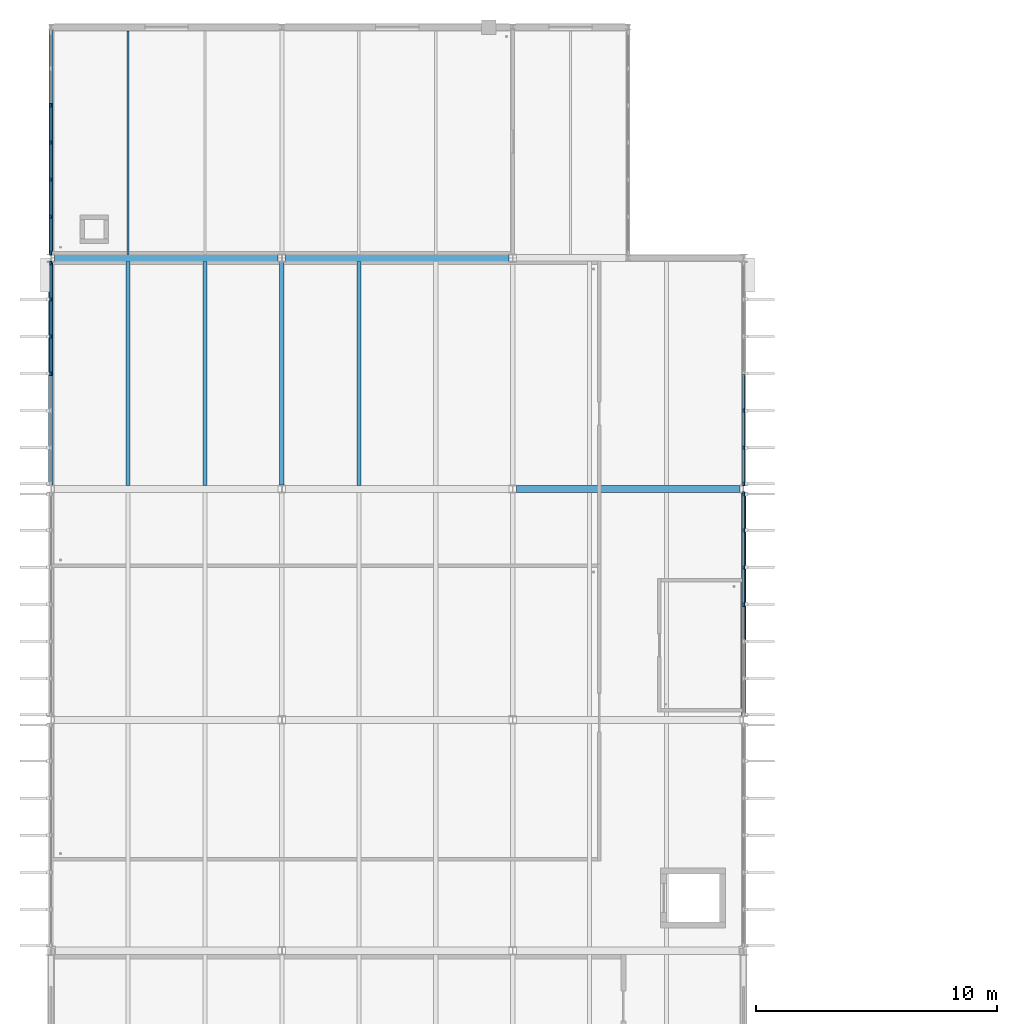
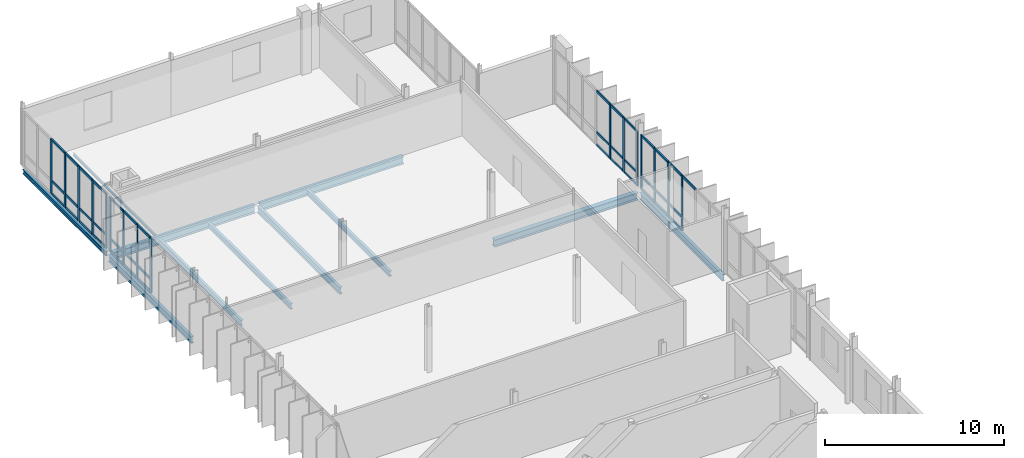
# One storey, part 41 of 110: 56 members, 11 beams, 4 elements without a shape of their own.
"""IFC4 building model written with IfcOpenShell, lengths in metres."""

import ifcopenshell
import ifcopenshell.guid

model = None  # the IFC model being written
_history = None  # IfcOwnerHistory: only IFC2X3 demands one
_inside = {}  # id of a spatial element -> (the spatial element, [elements in it])
_under = {}  # id of a project, library or spatial element -> (it, [spatial elements below it])
_declared = {}  # id of a project -> (the project, [libraries it declares])
_typed = {}  # id of a type object -> (the type object, [elements of that type])
_made_of = {}  # id of a material, layer set ... -> (it, [elements and type objects made of it])


def new_model(schema):
    """Start an empty IFC model of exactly this schema.

    Asked for "IFC4X3", IfcOpenShell would pick the latest addendum, in which some entities
    have other attributes; the version numbers below select the first issue.
    IFC2X3 requires an IfcOwnerHistory on every rooted entity: one is made here for all.
    """
    global model, _history
    if schema == "IFC4X3":
        model = ifcopenshell.file(schema_version=(4, 3, 0, 0))
    else:
        model = ifcopenshell.file(schema=schema)
    _inside.clear()
    _under.clear()
    _declared.clear()
    _typed.clear()
    _made_of.clear()
    _history = None
    if model.schema == "IFC2X3":
        org = make("IfcOrganization", Name="unknown")
        user = make(
            "IfcPersonAndOrganization",
            ThePerson=make("IfcPerson", FamilyName="unknown"),
            TheOrganization=org,
        )
        app = make(
            "IfcApplication",
            ApplicationDeveloper=org,
            Version="unknown",
            ApplicationFullName="unknown",
            ApplicationIdentifier="unknown",
        )
        _history = make(
            "IfcOwnerHistory",
            OwningUser=user,
            OwningApplication=app,
            ChangeAction="ADDED",
            CreationDate=0,
        )
    return model


def make(cls, **values):
    """One entity of the class cls with the attributes given. An attribute that is None is left unset."""
    return model.create_entity(
        cls, **{name: value for name, value in values.items() if value is not None}
    )


def rooted(cls, **values):
    """An entity with a GlobalId (a new one), such as an element, a storey or a relation."""
    return make(cls, GlobalId=ifcopenshell.guid.new(), OwnerHistory=_history, **values)


def si_unit(unit_type, name, prefix=None):
    """IfcSIUnit, for example si_unit("LENGTHUNIT", "METRE", prefix="MILLI")."""
    return make("IfcSIUnit", UnitType=unit_type, Prefix=prefix, Name=name)


def assignment(units):
    """IfcUnitAssignment: the units of a project."""
    return None if units is None else make("IfcUnitAssignment", Units=units)


def point(xyz):
    """IfcCartesianPoint."""
    return None if xyz is None else make("IfcCartesianPoint", Coordinates=xyz)


def direction(xyz):
    """IfcDirection."""
    return None if xyz is None else make("IfcDirection", DirectionRatios=xyz)


def frame(location, z_axis=None, x_axis=None):
    """IfcAxis2Placement3D, a coordinate frame: its origin and axes. An axis left out is left unset."""
    return make(
        "IfcAxis2Placement3D",
        Location=point(location),
        Axis=direction(z_axis),
        RefDirection=direction(x_axis),
    )


def frame_2d(location, x_axis=None):
    """IfcAxis2Placement2D, a coordinate frame in the plane: its origin and x axis."""
    return make(
        "IfcAxis2Placement2D", Location=point(location), RefDirection=direction(x_axis)
    )


def origin():
    """The frame at (0, 0, 0) with its axes left unset."""
    return frame((0.0, 0.0, 0.0))


def origin_2d():
    """The frame at (0, 0) in the plane with its x axis left unset."""
    return frame_2d((0.0, 0.0))


def place(relative_to, where):
    """IfcLocalPlacement: puts the frame where relative to a parent placement (None: the world)."""
    return make(
        "IfcLocalPlacement", PlacementRelTo=relative_to, RelativePlacement=where
    )


def context(
    kind, dimensions, precision=None, world=None, true_north=None, identifier=None
):
    """IfcGeometricRepresentationContext, for example the 3D "Model" context."""
    return make(
        "IfcGeometricRepresentationContext",
        ContextIdentifier=identifier,
        ContextType=kind,
        CoordinateSpaceDimension=dimensions,
        Precision=precision,
        WorldCoordinateSystem=world,
        TrueNorth=true_north,
    )


def subcontext(parent, identifier, kind, view, scale=None):
    """IfcGeometricRepresentationSubContext, for example "Body" below "Model"."""
    return make(
        "IfcGeometricRepresentationSubContext",
        ContextIdentifier=identifier,
        ContextType=kind,
        ParentContext=parent,
        TargetScale=scale,
        TargetView=view,
    )


def project(units=None, contexts=None):
    """IfcProject with its units and contexts."""
    return rooted(
        "IfcProject",
        Name="project",
        RepresentationContexts=contexts,
        UnitsInContext=assignment(units),
    )


def spatial(cls, under=None, at=None, **own):
    """A site, building, storey or space (cls), placed at a placement, below another one or the project."""
    s = rooted(cls, ObjectPlacement=at, **own)
    if under is not None:
        _under.setdefault(under.id(), (under, []))[1].append(s)
    return s


def profile(cls, at=None, kind="AREA", **sizes):
    """A parametric profile (cls). Its sizes go by their IFC names, for example OverallWidth=200.0."""
    return make(cls, ProfileType=kind, Position=at, **sizes)


def rectangle(**sizes):
    """IfcRectangleProfileDef."""
    return profile("IfcRectangleProfileDef", **sizes)


def i_section(**sizes):
    """IfcIShapeProfileDef."""
    return profile("IfcIShapeProfileDef", **sizes)


def extrude(swept, where, along, depth):
    """IfcExtrudedAreaSolid: the profile swept, set in the frame where, extruded along a direction by depth."""
    return make(
        "IfcExtrudedAreaSolid",
        SweptArea=swept,
        Position=where,
        ExtrudedDirection=direction(along),
        Depth=depth,
    )


def shape(context_of_items, identifier, shape_type, items):
    """IfcShapeRepresentation: the items that make up one representation, for example the "Body"."""
    return make(
        "IfcShapeRepresentation",
        ContextOfItems=context_of_items,
        RepresentationIdentifier=identifier,
        RepresentationType=shape_type,
        Items=items,
    )


def material(Name=None, Category=None):
    """IfcMaterial."""
    return make("IfcMaterial", Name=Name, Category=Category)


def material_profile(
    of_material, cross_section, Name=None, Category=None, Priority=None
):
    """IfcMaterialProfile: a cross section and its material."""
    return make(
        "IfcMaterialProfile",
        Name=Name,
        Material=of_material,
        Profile=cross_section,
        Priority=Priority,
        Category=Category,
    )


def profile_set(profiles, Name=None, composite=None):
    """IfcMaterialProfileSet."""
    return make(
        "IfcMaterialProfileSet",
        Name=Name,
        MaterialProfiles=profiles,
        CompositeProfile=composite,
    )


def made_of(thing, what):
    """Note that an element or type object is made of a material, layer set ...; save() writes the relation."""
    if what is not None:
        _made_of.setdefault(what.id(), (what, []))[1].append(thing)
    return thing


def type_object(cls, material=None, **own):
    """A type object (cls), such as IfcWallType, which elements share."""
    return made_of(rooted(cls, **own), material)


def element(
    cls,
    number,
    at=None,
    inside=None,
    cuts=None,
    type_object=None,
    material=None,
    context=None,
    identifier="Body",
    shape_type=None,
    held_by="IfcProductDefinitionShape",
    body=None,
    shapes=None,
    **own,
):
    """One element of the class cls, such as IfcWall. Its Tag is "e" and its number.

    at: its placement. inside: the storey or other place that contains it. cuts: it is an
    opening in that element (IfcRelVoidsElement). A single representation is given by context,
    identifier, shape_type and body (its items); several are given by shapes. held_by: the class
    of the entity that holds the representations. save() writes the other relations.
    """
    e = rooted(cls, Tag="e%d" % number, ObjectPlacement=at, **own)
    if body is not None:
        shapes = [shape(context, identifier, shape_type, body)]
    if shapes is not None:
        e.Representation = make(held_by, Representations=shapes)
    if inside is not None:
        _inside.setdefault(inside.id(), (inside, []))[1].append(e)
    if cuts is not None:
        rooted(
            "IfcRelVoidsElement", RelatingBuildingElement=cuts, RelatedOpeningElement=e
        )
    if type_object is not None:
        _typed.setdefault(type_object.id(), (type_object, []))[1].append(e)
    return made_of(e, material)


def aggregate(whole, parts):
    """IfcRelAggregates: a whole, such as a stair, and the parts it consists of."""
    return rooted("IfcRelAggregates", RelatingObject=whole, RelatedObjects=parts)


def save(model, path):
    """Write the relations noted so far, then the file.

    IfcRelAggregates (storeys below a building ...), IfcRelContainedInSpatialStructure (elements
    in a storey), IfcRelDefinesByType, IfcRelAssociatesMaterial and IfcRelDeclares: one each for
    every whole, place, type object, material and project.
    """
    for whole, parts in _under.values():
        aggregate(whole, parts)
    for where, things in _inside.values():
        rooted(
            "IfcRelContainedInSpatialStructure",
            RelatedElements=things,
            RelatingStructure=where,
        )
    for kind, things in _typed.values():
        rooted("IfcRelDefinesByType", RelatedObjects=things, RelatingType=kind)
    for what, things in _made_of.values():
        rooted("IfcRelAssociatesMaterial", RelatedObjects=things, RelatingMaterial=what)
    for by, libraries in _declared.values():
        rooted("IfcRelDeclares", RelatingContext=by, RelatedDefinitions=libraries)
    model.write(path)


model = new_model("IFC4")

# Units and contexts
model_context = context("Model", 3, precision=1e-05, world=origin(), true_north=direction((0.0, 1.0)))
body_context = subcontext(model_context, "Body", "Model", "MODEL_VIEW")
ifc_project = project(units=[si_unit("LENGTHUNIT", "METRE"), si_unit("AREAUNIT", "SQUARE_METRE"), si_unit("VOLUMEUNIT", "CUBIC_METRE"), si_unit("PLANEANGLEUNIT", "RADIAN"), si_unit("MASSUNIT", "GRAM", prefix="KILO")], contexts=[model_context])

# Site, building, storey
site_placement = place(None, origin())
site = spatial("IfcSite", under=ifc_project, at=site_placement, CompositionType="ELEMENT")
building_placement = place(site_placement, origin())
building = spatial("IfcBuilding", under=site, at=building_placement, Name="Dunescarp Central Library", CompositionType="ELEMENT")
storey_placement = place(building_placement, frame((0.0, 0.0, 9.60009765625)))
storey = spatial("IfcBuildingStorey", under=building, at=storey_placement, Name="L02", CompositionType="ELEMENT", Elevation=9.60009765625)

# Curtain wall, members
ifc_material_1 = material(Name="Marine-grade anodised aluminium 6063-T6", Category="aluminium")
curtain_wall_type = type_object("IfcCurtainWallType", Name="ARC-CW-STICK", PredefinedType="NOTDEFINED", material=ifc_material_1)
curtain_wall_1_placement = place(storey_placement, origin())
curtain_wall_1 = element("IfcCurtainWall", 1, at=curtain_wall_1_placement, inside=storey, type_object=curtain_wall_type, Name="L02 curtain wall CW-V4-127", PredefinedType="NOTDEFINED")
ifc_material_profile_1 = material_profile(ifc_material_1, rectangle(XDim=0.080078125, YDim=0.179931640625, at=origin_2d()), Name="AL 80x180")
ifc_profile_set_1 = profile_set([ifc_material_profile_1], Name="Marine-grade anodised aluminium 6063-T6")
member_type_1 = type_object("IfcMemberType", Name="ARC-CWM-180", PredefinedType="MULLION", material=ifc_profile_set_1)
member_1_placement = place(storey_placement, frame((28.800048828125, 79.784912109375, 0.0), z_axis=(0.0, 0.0, 1.0), x_axis=(1.0, 0.0, 0.0)))
member_1 = element("IfcMember", 2, at=member_1_placement, type_object=member_type_1, Name="CW-V4-127 mullion 1", PredefinedType="MULLION", context=body_context, shape_type="SweptSolid", body=[
    extrude(rectangle(XDim=0.080078125, YDim=0.179931640625, at=origin_2d()), origin(), (0.0, 0.0, 1.0), 3.73486328125),
])
member_2_placement = place(storey_placement, frame((28.800048828125, 78.283447265625, 0.0), z_axis=(0.0, 0.0, 1.0), x_axis=(1.0, 0.0, 0.0)))
member_2 = element("IfcMember", 3, at=member_2_placement, type_object=member_type_1, Name="CW-V4-127 mullion 2", PredefinedType="MULLION", context=body_context, shape_type="SweptSolid", body=[
    extrude(rectangle(XDim=0.080078125, YDim=0.179931640625, at=origin_2d()), origin(), (0.0, 0.0, 1.0), 3.73486328125),
])
member_3_placement = place(storey_placement, frame((28.800048828125, 76.74169921875, 0.0), z_axis=(0.0, 0.0, 1.0), x_axis=(1.0, 0.0, 0.0)))
member_3 = element("IfcMember", 4, at=member_3_placement, type_object=member_type_1, Name="CW-V4-127 mullion 3", PredefinedType="MULLION", context=body_context, shape_type="SweptSolid", body=[
    extrude(rectangle(XDim=0.080078125, YDim=0.179931640625, at=origin_2d()), origin(), (0.0, 0.0, 1.0), 3.73486328125),
])
member_4_placement = place(storey_placement, frame((28.800048828125, 75.199951171875, 0.0), z_axis=(0.0, 0.0, 1.0), x_axis=(1.0, 0.0, 0.0)))
member_4 = element("IfcMember", 5, at=member_4_placement, type_object=member_type_1, Name="CW-V4-127 mullion 4", PredefinedType="MULLION", context=body_context, shape_type="SweptSolid", body=[
    extrude(rectangle(XDim=0.080078125, YDim=0.179931640625, at=origin_2d()), origin(), (0.0, 0.0, 1.0), 3.73486328125),
])

curtain_wall_2_placement = place(storey_placement, origin())
curtain_wall_2 = element("IfcCurtainWall", 6, at=curtain_wall_2_placement, inside=storey, type_object=curtain_wall_type, Name="L02 curtain wall CW-V4-128", PredefinedType="NOTDEFINED")
member_5_placement = place(storey_placement, frame((0.0, 84.800048828125, 0.0), z_axis=(0.0, 0.0, 1.0), x_axis=(-1.0, 0.0, 0.0)))
member_5 = element("IfcMember", 7, at=member_5_placement, type_object=member_type_1, Name="CW-V4-128 mullion 4", PredefinedType="MULLION", context=body_context, shape_type="SweptSolid", body=[
    extrude(rectangle(XDim=0.080078125, YDim=0.179931640625, at=origin_2d()), origin(), (0.0, 0.0, 1.0), 3.73486328125),
])
member_6_placement = place(storey_placement, frame((0.0, 86.341552734375, 0.0), z_axis=(0.0, 0.0, 1.0), x_axis=(-1.0, 0.0, 0.0)))
member_6 = element("IfcMember", 8, at=member_6_placement, type_object=member_type_1, Name="CW-V4-128 mullion 5", PredefinedType="MULLION", context=body_context, shape_type="SweptSolid", body=[
    extrude(rectangle(XDim=0.080078125, YDim=0.179931640625, at=origin_2d()), origin(), (0.0, 0.0, 1.0), 3.73486328125),
])
member_7_placement = place(storey_placement, frame((0.0, 87.88330078125, 0.0), z_axis=(0.0, 0.0, 1.0), x_axis=(-1.0, 0.0, 0.0)))
member_7 = element("IfcMember", 9, at=member_7_placement, type_object=member_type_1, Name="CW-V4-128 mullion 6", PredefinedType="MULLION", context=body_context, shape_type="SweptSolid", body=[
    extrude(rectangle(XDim=0.080078125, YDim=0.179931640625, at=origin_2d()), origin(), (0.0, 0.0, 1.0), 3.73486328125),
])
member_8_placement = place(storey_placement, frame((0.0, 89.385009765625, 0.0), z_axis=(0.0, 0.0, 1.0), x_axis=(-1.0, 0.0, 0.0)))
member_8 = element("IfcMember", 10, at=member_8_placement, type_object=member_type_1, Name="CW-V4-128 mullion 7", PredefinedType="MULLION", context=body_context, shape_type="SweptSolid", body=[
    extrude(rectangle(XDim=0.080078125, YDim=0.179931640625, at=origin_2d()), origin(), (0.0, 0.0, 1.0), 3.73486328125),
])

curtain_wall_3_placement = place(storey_placement, origin())
curtain_wall_3 = element("IfcCurtainWall", 11, at=curtain_wall_3_placement, inside=storey, type_object=curtain_wall_type, Name="L02 curtain wall CW-V4-129", PredefinedType="NOTDEFINED")
member_9_placement = place(storey_placement, frame((28.800048828125, 83.25830078125, 0.0), z_axis=(0.0, 0.0, 1.0), x_axis=(1.0, 0.0, 0.0)))
member_9 = element("IfcMember", 12, at=member_9_placement, type_object=member_type_1, Name="CW-V4-129 mullion 5", PredefinedType="MULLION", context=body_context, shape_type="SweptSolid", body=[
    extrude(rectangle(XDim=0.080078125, YDim=0.179931640625, at=origin_2d()), origin(), (0.0, 0.0, 1.0), 3.73486328125),
])
member_10_placement = place(storey_placement, frame((28.800048828125, 81.716552734375, 0.0), z_axis=(0.0, 0.0, 1.0), x_axis=(1.0, 0.0, 0.0)))
member_10 = element("IfcMember", 13, at=member_10_placement, type_object=member_type_1, Name="CW-V4-129 mullion 6", PredefinedType="MULLION", context=body_context, shape_type="SweptSolid", body=[
    extrude(rectangle(XDim=0.080078125, YDim=0.179931640625, at=origin_2d()), origin(), (0.0, 0.0, 1.0), 3.73486328125),
])
member_11_placement = place(storey_placement, frame((28.800048828125, 80.215087890625, 0.0), z_axis=(0.0, 0.0, 1.0), x_axis=(1.0, 0.0, 0.0)))
member_11 = element("IfcMember", 14, at=member_11_placement, type_object=member_type_1, Name="CW-V4-129 mullion 7", PredefinedType="MULLION", context=body_context, shape_type="SweptSolid", body=[
    extrude(rectangle(XDim=0.080078125, YDim=0.179931640625, at=origin_2d()), origin(), (0.0, 0.0, 1.0), 3.73486328125),
])

curtain_wall_4_placement = place(storey_placement, origin())
curtain_wall_4 = element("IfcCurtainWall", 15, at=curtain_wall_4_placement, inside=storey, type_object=curtain_wall_type, Name="L02 curtain wall CW-V4N-144", PredefinedType="NOTDEFINED")
member_12_placement = place(storey_placement, frame((0.0, 89.81494140625, 0.0), z_axis=(0.0, 0.0, 1.0), x_axis=(-1.0, 0.0, 0.0)))
member_12 = element("IfcMember", 16, at=member_12_placement, type_object=member_type_1, Name="CW-V4N-144 mullion 1", PredefinedType="MULLION", context=body_context, shape_type="SweptSolid", body=[
    extrude(rectangle(XDim=0.080078125, YDim=0.179931640625, at=origin_2d()), origin(), (0.0, 0.0, 1.0), 3.73486328125),
])
member_13_placement = place(storey_placement, frame((0.0, 91.316650390625, 0.0), z_axis=(0.0, 0.0, 1.0), x_axis=(-1.0, 0.0, 0.0)))
member_13 = element("IfcMember", 17, at=member_13_placement, type_object=member_type_1, Name="CW-V4N-144 mullion 2", PredefinedType="MULLION", context=body_context, shape_type="SweptSolid", body=[
    extrude(rectangle(XDim=0.080078125, YDim=0.179931640625, at=origin_2d()), origin(), (0.0, 0.0, 1.0), 3.73486328125),
])
member_14_placement = place(storey_placement, frame((0.0, 92.8583984375, 0.0), z_axis=(0.0, 0.0, 1.0), x_axis=(-1.0, 0.0, 0.0)))
member_14 = element("IfcMember", 18, at=member_14_placement, type_object=member_type_1, Name="CW-V4N-144 mullion 3", PredefinedType="MULLION", context=body_context, shape_type="SweptSolid", body=[
    extrude(rectangle(XDim=0.080078125, YDim=0.179931640625, at=origin_2d()), origin(), (0.0, 0.0, 1.0), 3.73486328125),
])
member_15_placement = place(storey_placement, frame((0.0, 94.39990234375, 0.0), z_axis=(0.0, 0.0, 1.0), x_axis=(-1.0, 0.0, 0.0)))
member_15 = element("IfcMember", 19, at=member_15_placement, type_object=member_type_1, Name="CW-V4N-144 mullion 4", PredefinedType="MULLION", context=body_context, shape_type="SweptSolid", body=[
    extrude(rectangle(XDim=0.080078125, YDim=0.179931640625, at=origin_2d()), origin(), (0.0, 0.0, 1.0), 3.73486328125),
])
member_16_placement = place(storey_placement, frame((0.0, 95.941650390625, 0.0), z_axis=(0.0, 0.0, 1.0), x_axis=(-1.0, 0.0, 0.0)))
member_16 = element("IfcMember", 20, at=member_16_placement, type_object=member_type_1, Name="CW-V4N-144 mullion 5", PredefinedType="MULLION", context=body_context, shape_type="SweptSolid", body=[
    extrude(rectangle(XDim=0.080078125, YDim=0.179931640625, at=origin_2d()), origin(), (0.0, 0.0, 1.0), 3.73486328125),
])

# Member
ifc_material_profile_2 = material_profile(ifc_material_1, rectangle(XDim=0.080078125, YDim=0.14990234375, at=origin_2d()), Name="AL 80x150")
ifc_profile_set_2 = profile_set([ifc_material_profile_2], Name="Marine-grade anodised aluminium 6063-T6")
member_type_2 = type_object("IfcMemberType", Name="ARC-CWT-150", PredefinedType="USERDEFINED", material=ifc_profile_set_2)
member_17_placement = place(storey_placement, frame((28.800048828125, 79.7451171875, 0.039794921875), z_axis=(0.0, -1.0, 0.0), x_axis=(1.0, 0.0, 0.0)))
member_17 = element("IfcMember", 21, at=member_17_placement, type_object=member_type_2, Name="CW-V4-127 transom 1.1", ObjectType="TRANSOM", PredefinedType="USERDEFINED", context=body_context, shape_type="SweptSolid", body=[
    extrude(rectangle(XDim=0.080078125, YDim=0.14990234375, at=origin_2d()), origin(), (0.0, 0.0, 1.0), 1.421875),
])

member_18_placement = place(storey_placement, frame((28.800048828125, 79.7451171875, 0.89990234375), z_axis=(0.0, -1.0, 0.0), x_axis=(1.0, 0.0, 0.0)))
member_18 = element("IfcMember", 22, at=member_18_placement, type_object=member_type_2, Name="CW-V4-127 transom 1.2", ObjectType="TRANSOM", PredefinedType="USERDEFINED", context=body_context, shape_type="SweptSolid", body=[
    extrude(rectangle(XDim=0.080078125, YDim=0.14990234375, at=origin_2d()), origin(), (0.0, 0.0, 1.0), 1.421875),
])

member_19_placement = place(storey_placement, frame((28.800048828125, 79.7451171875, 3.69482421875), z_axis=(0.0, -1.0, 0.0), x_axis=(1.0, 0.0, 0.0)))
member_19 = element("IfcMember", 23, at=member_19_placement, type_object=member_type_2, Name="CW-V4-127 transom 1.3", ObjectType="TRANSOM", PredefinedType="USERDEFINED", context=body_context, shape_type="SweptSolid", body=[
    extrude(rectangle(XDim=0.080078125, YDim=0.14990234375, at=origin_2d()), origin(), (0.0, 0.0, 1.0), 1.421875),
])

member_20_placement = place(storey_placement, frame((28.800048828125, 78.243408203125, 0.039794921875), z_axis=(0.0, -1.0, 0.0), x_axis=(1.0, 0.0, 0.0)))
member_20 = element("IfcMember", 24, at=member_20_placement, type_object=member_type_2, Name="CW-V4-127 transom 2.1", ObjectType="TRANSOM", PredefinedType="USERDEFINED", context=body_context, shape_type="SweptSolid", body=[
    extrude(rectangle(XDim=0.080078125, YDim=0.14990234375, at=origin_2d()), origin(), (0.0, 0.0, 1.0), 1.461669921875),
])

member_21_placement = place(storey_placement, frame((28.800048828125, 78.243408203125, 0.89990234375), z_axis=(0.0, -1.0, 0.0), x_axis=(1.0, 0.0, 0.0)))
member_21 = element("IfcMember", 25, at=member_21_placement, type_object=member_type_2, Name="CW-V4-127 transom 2.2", ObjectType="TRANSOM", PredefinedType="USERDEFINED", context=body_context, shape_type="SweptSolid", body=[
    extrude(rectangle(XDim=0.080078125, YDim=0.14990234375, at=origin_2d()), origin(), (0.0, 0.0, 1.0), 1.461669921875),
])

member_22_placement = place(storey_placement, frame((28.800048828125, 78.243408203125, 3.69482421875), z_axis=(0.0, -1.0, 0.0), x_axis=(1.0, 0.0, 0.0)))
member_22 = element("IfcMember", 26, at=member_22_placement, type_object=member_type_2, Name="CW-V4-127 transom 2.3", ObjectType="TRANSOM", PredefinedType="USERDEFINED", context=body_context, shape_type="SweptSolid", body=[
    extrude(rectangle(XDim=0.080078125, YDim=0.14990234375, at=origin_2d()), origin(), (0.0, 0.0, 1.0), 1.461669921875),
])

member_23_placement = place(storey_placement, frame((28.800048828125, 76.70166015625, 0.039794921875), z_axis=(0.0, -1.0, 0.0), x_axis=(1.0, 0.0, 0.0)))
member_23 = element("IfcMember", 27, at=member_23_placement, type_object=member_type_2, Name="CW-V4-127 transom 3.1", ObjectType="TRANSOM", PredefinedType="USERDEFINED", context=body_context, shape_type="SweptSolid", body=[
    extrude(rectangle(XDim=0.080078125, YDim=0.14990234375, at=origin_2d()), origin(), (0.0, 0.0, 1.0), 1.461669921875),
])

member_24_placement = place(storey_placement, frame((28.800048828125, 76.70166015625, 0.89990234375), z_axis=(0.0, -1.0, 0.0), x_axis=(1.0, 0.0, 0.0)))
member_24 = element("IfcMember", 28, at=member_24_placement, type_object=member_type_2, Name="CW-V4-127 transom 3.2", ObjectType="TRANSOM", PredefinedType="USERDEFINED", context=body_context, shape_type="SweptSolid", body=[
    extrude(rectangle(XDim=0.080078125, YDim=0.14990234375, at=origin_2d()), origin(), (0.0, 0.0, 1.0), 1.461669921875),
])

member_25_placement = place(storey_placement, frame((28.800048828125, 76.70166015625, 3.69482421875), z_axis=(0.0, -1.0, 0.0), x_axis=(1.0, 0.0, 0.0)))
member_25 = element("IfcMember", 29, at=member_25_placement, type_object=member_type_2, Name="CW-V4-127 transom 3.3", ObjectType="TRANSOM", PredefinedType="USERDEFINED", context=body_context, shape_type="SweptSolid", body=[
    extrude(rectangle(XDim=0.080078125, YDim=0.14990234375, at=origin_2d()), origin(), (0.0, 0.0, 1.0), 1.461669921875),
])

member_26_placement = place(storey_placement, frame((28.800048828125, 75.159912109375, 3.69482421875), z_axis=(0.0, -1.0, 0.0), x_axis=(1.0, 0.0, 0.0)))
member_26 = element("IfcMember", 30, at=member_26_placement, type_object=member_type_2, Name="CW-V4-127 transom 4.3", ObjectType="TRANSOM", PredefinedType="USERDEFINED", context=body_context, shape_type="SweptSolid", body=[
    extrude(rectangle(XDim=0.080078125, YDim=0.14990234375, at=origin_2d()), origin(), (0.0, 0.0, 1.0), 1.461669921875),
])

aggregate(curtain_wall_1, [member_1, member_2, member_3, member_4, member_17, member_18, member_19, member_20, member_21, member_22, member_23, member_24, member_25, member_26])

member_27_placement = place(storey_placement, frame((0.0, 84.840087890625, 0.039794921875), z_axis=(0.0, 1.0, 0.0), x_axis=(-1.0, 0.0, 0.0)))
member_27 = element("IfcMember", 31, at=member_27_placement, type_object=member_type_2, Name="CW-V4-128 transom 4.1", ObjectType="TRANSOM", PredefinedType="USERDEFINED", context=body_context, shape_type="SweptSolid", body=[
    extrude(rectangle(XDim=0.080078125, YDim=0.14990234375, at=origin_2d()), origin(), (0.0, 0.0, 1.0), 1.461669921875),
])

member_28_placement = place(storey_placement, frame((0.0, 84.840087890625, 0.89990234375), z_axis=(0.0, 1.0, 0.0), x_axis=(-1.0, 0.0, 0.0)))
member_28 = element("IfcMember", 32, at=member_28_placement, type_object=member_type_2, Name="CW-V4-128 transom 4.2", ObjectType="TRANSOM", PredefinedType="USERDEFINED", context=body_context, shape_type="SweptSolid", body=[
    extrude(rectangle(XDim=0.080078125, YDim=0.14990234375, at=origin_2d()), origin(), (0.0, 0.0, 1.0), 1.461669921875),
])

member_29_placement = place(storey_placement, frame((0.0, 84.840087890625, 3.69482421875), z_axis=(0.0, 1.0, 0.0), x_axis=(-1.0, 0.0, 0.0)))
member_29 = element("IfcMember", 33, at=member_29_placement, type_object=member_type_2, Name="CW-V4-128 transom 4.3", ObjectType="TRANSOM", PredefinedType="USERDEFINED", context=body_context, shape_type="SweptSolid", body=[
    extrude(rectangle(XDim=0.080078125, YDim=0.14990234375, at=origin_2d()), origin(), (0.0, 0.0, 1.0), 1.461669921875),
])

member_30_placement = place(storey_placement, frame((0.0, 86.381591796875, 0.039794921875), z_axis=(0.0, 1.0, 0.0), x_axis=(-1.0, 0.0, 0.0)))
member_30 = element("IfcMember", 34, at=member_30_placement, type_object=member_type_2, Name="CW-V4-128 transom 5.1", ObjectType="TRANSOM", PredefinedType="USERDEFINED", context=body_context, shape_type="SweptSolid", body=[
    extrude(rectangle(XDim=0.080078125, YDim=0.14990234375, at=origin_2d()), origin(), (0.0, 0.0, 1.0), 1.461669921875),
])

member_31_placement = place(storey_placement, frame((0.0, 86.381591796875, 0.89990234375), z_axis=(0.0, 1.0, 0.0), x_axis=(-1.0, 0.0, 0.0)))
member_31 = element("IfcMember", 35, at=member_31_placement, type_object=member_type_2, Name="CW-V4-128 transom 5.2", ObjectType="TRANSOM", PredefinedType="USERDEFINED", context=body_context, shape_type="SweptSolid", body=[
    extrude(rectangle(XDim=0.080078125, YDim=0.14990234375, at=origin_2d()), origin(), (0.0, 0.0, 1.0), 1.461669921875),
])

member_32_placement = place(storey_placement, frame((0.0, 86.381591796875, 3.69482421875), z_axis=(0.0, 1.0, 0.0), x_axis=(-1.0, 0.0, 0.0)))
member_32 = element("IfcMember", 36, at=member_32_placement, type_object=member_type_2, Name="CW-V4-128 transom 5.3", ObjectType="TRANSOM", PredefinedType="USERDEFINED", context=body_context, shape_type="SweptSolid", body=[
    extrude(rectangle(XDim=0.080078125, YDim=0.14990234375, at=origin_2d()), origin(), (0.0, 0.0, 1.0), 1.461669921875),
])

member_33_placement = place(storey_placement, frame((0.0, 87.92333984375, 0.039794921875), z_axis=(0.0, 1.0, 0.0), x_axis=(-1.0, 0.0, 0.0)))
member_33 = element("IfcMember", 37, at=member_33_placement, type_object=member_type_2, Name="CW-V4-128 transom 6.1", ObjectType="TRANSOM", PredefinedType="USERDEFINED", context=body_context, shape_type="SweptSolid", body=[
    extrude(rectangle(XDim=0.080078125, YDim=0.14990234375, at=origin_2d()), origin(), (0.0, 0.0, 1.0), 1.421630859375),
])

member_34_placement = place(storey_placement, frame((0.0, 87.92333984375, 0.89990234375), z_axis=(0.0, 1.0, 0.0), x_axis=(-1.0, 0.0, 0.0)))
member_34 = element("IfcMember", 38, at=member_34_placement, type_object=member_type_2, Name="CW-V4-128 transom 6.2", ObjectType="TRANSOM", PredefinedType="USERDEFINED", context=body_context, shape_type="SweptSolid", body=[
    extrude(rectangle(XDim=0.080078125, YDim=0.14990234375, at=origin_2d()), origin(), (0.0, 0.0, 1.0), 1.421630859375),
])

member_35_placement = place(storey_placement, frame((0.0, 87.92333984375, 3.69482421875), z_axis=(0.0, 1.0, 0.0), x_axis=(-1.0, 0.0, 0.0)))
member_35 = element("IfcMember", 39, at=member_35_placement, type_object=member_type_2, Name="CW-V4-128 transom 6.3", ObjectType="TRANSOM", PredefinedType="USERDEFINED", context=body_context, shape_type="SweptSolid", body=[
    extrude(rectangle(XDim=0.080078125, YDim=0.14990234375, at=origin_2d()), origin(), (0.0, 0.0, 1.0), 1.421630859375),
])

aggregate(curtain_wall_2, [member_5, member_6, member_7, member_8, member_27, member_28, member_29, member_30, member_31, member_32, member_33, member_34, member_35])

member_36_placement = place(storey_placement, frame((28.800048828125, 84.760009765625, 0.039794921875), z_axis=(0.0, -1.0, 0.0), x_axis=(1.0, 0.0, 0.0)))
member_36 = element("IfcMember", 40, at=member_36_placement, type_object=member_type_2, Name="CW-V4-129 transom 4.1", ObjectType="TRANSOM", PredefinedType="USERDEFINED", context=body_context, shape_type="SweptSolid", body=[
    extrude(rectangle(XDim=0.080078125, YDim=0.14990234375, at=origin_2d()), origin(), (0.0, 0.0, 1.0), 1.461669921875),
])

member_37_placement = place(storey_placement, frame((28.800048828125, 84.760009765625, 0.89990234375), z_axis=(0.0, -1.0, 0.0), x_axis=(1.0, 0.0, 0.0)))
member_37 = element("IfcMember", 41, at=member_37_placement, type_object=member_type_2, Name="CW-V4-129 transom 4.2", ObjectType="TRANSOM", PredefinedType="USERDEFINED", context=body_context, shape_type="SweptSolid", body=[
    extrude(rectangle(XDim=0.080078125, YDim=0.14990234375, at=origin_2d()), origin(), (0.0, 0.0, 1.0), 1.461669921875),
])

member_38_placement = place(storey_placement, frame((28.800048828125, 84.760009765625, 3.69482421875), z_axis=(0.0, -1.0, 0.0), x_axis=(1.0, 0.0, 0.0)))
member_38 = element("IfcMember", 42, at=member_38_placement, type_object=member_type_2, Name="CW-V4-129 transom 4.3", ObjectType="TRANSOM", PredefinedType="USERDEFINED", context=body_context, shape_type="SweptSolid", body=[
    extrude(rectangle(XDim=0.080078125, YDim=0.14990234375, at=origin_2d()), origin(), (0.0, 0.0, 1.0), 1.461669921875),
])

member_39_placement = place(storey_placement, frame((28.800048828125, 83.21826171875, 0.039794921875), z_axis=(0.0, -1.0, 0.0), x_axis=(1.0, 0.0, 0.0)))
member_39 = element("IfcMember", 43, at=member_39_placement, type_object=member_type_2, Name="CW-V4-129 transom 5.1", ObjectType="TRANSOM", PredefinedType="USERDEFINED", context=body_context, shape_type="SweptSolid", body=[
    extrude(rectangle(XDim=0.080078125, YDim=0.14990234375, at=origin_2d()), origin(), (0.0, 0.0, 1.0), 1.461669921875),
])

member_40_placement = place(storey_placement, frame((28.800048828125, 83.21826171875, 0.89990234375), z_axis=(0.0, -1.0, 0.0), x_axis=(1.0, 0.0, 0.0)))
member_40 = element("IfcMember", 44, at=member_40_placement, type_object=member_type_2, Name="CW-V4-129 transom 5.2", ObjectType="TRANSOM", PredefinedType="USERDEFINED", context=body_context, shape_type="SweptSolid", body=[
    extrude(rectangle(XDim=0.080078125, YDim=0.14990234375, at=origin_2d()), origin(), (0.0, 0.0, 1.0), 1.461669921875),
])

member_41_placement = place(storey_placement, frame((28.800048828125, 83.21826171875, 3.69482421875), z_axis=(0.0, -1.0, 0.0), x_axis=(1.0, 0.0, 0.0)))
member_41 = element("IfcMember", 45, at=member_41_placement, type_object=member_type_2, Name="CW-V4-129 transom 5.3", ObjectType="TRANSOM", PredefinedType="USERDEFINED", context=body_context, shape_type="SweptSolid", body=[
    extrude(rectangle(XDim=0.080078125, YDim=0.14990234375, at=origin_2d()), origin(), (0.0, 0.0, 1.0), 1.461669921875),
])

member_42_placement = place(storey_placement, frame((28.800048828125, 81.6767578125, 0.039794921875), z_axis=(0.0, -1.0, 0.0), x_axis=(1.0, 0.0, 0.0)))
member_42 = element("IfcMember", 46, at=member_42_placement, type_object=member_type_2, Name="CW-V4-129 transom 6.1", ObjectType="TRANSOM", PredefinedType="USERDEFINED", context=body_context, shape_type="SweptSolid", body=[
    extrude(rectangle(XDim=0.080078125, YDim=0.14990234375, at=origin_2d()), origin(), (0.0, 0.0, 1.0), 1.421875),
])

member_43_placement = place(storey_placement, frame((28.800048828125, 81.6767578125, 0.89990234375), z_axis=(0.0, -1.0, 0.0), x_axis=(1.0, 0.0, 0.0)))
member_43 = element("IfcMember", 47, at=member_43_placement, type_object=member_type_2, Name="CW-V4-129 transom 6.2", ObjectType="TRANSOM", PredefinedType="USERDEFINED", context=body_context, shape_type="SweptSolid", body=[
    extrude(rectangle(XDim=0.080078125, YDim=0.14990234375, at=origin_2d()), origin(), (0.0, 0.0, 1.0), 1.421875),
])

member_44_placement = place(storey_placement, frame((28.800048828125, 81.6767578125, 3.69482421875), z_axis=(0.0, -1.0, 0.0), x_axis=(1.0, 0.0, 0.0)))
member_44 = element("IfcMember", 48, at=member_44_placement, type_object=member_type_2, Name="CW-V4-129 transom 6.3", ObjectType="TRANSOM", PredefinedType="USERDEFINED", context=body_context, shape_type="SweptSolid", body=[
    extrude(rectangle(XDim=0.080078125, YDim=0.14990234375, at=origin_2d()), origin(), (0.0, 0.0, 1.0), 1.421875),
])

aggregate(curtain_wall_3, [member_9, member_10, member_11, member_36, member_37, member_38, member_39, member_40, member_41, member_42, member_43, member_44])

member_45_placement = place(storey_placement, frame((0.0, 89.85498046875, 0.039794921875), z_axis=(0.0, 1.0, 0.0), x_axis=(-1.0, 0.0, 0.0)))
member_45 = element("IfcMember", 49, at=member_45_placement, type_object=member_type_2, Name="CW-V4N-144 transom 1.1", ObjectType="TRANSOM", PredefinedType="USERDEFINED", context=body_context, shape_type="SweptSolid", body=[
    extrude(rectangle(XDim=0.080078125, YDim=0.14990234375, at=origin_2d()), origin(), (0.0, 0.0, 1.0), 1.421630859375),
])

member_46_placement = place(storey_placement, frame((0.0, 89.85498046875, 0.89990234375), z_axis=(0.0, 1.0, 0.0), x_axis=(-1.0, 0.0, 0.0)))
member_46 = element("IfcMember", 50, at=member_46_placement, type_object=member_type_2, Name="CW-V4N-144 transom 1.2", ObjectType="TRANSOM", PredefinedType="USERDEFINED", context=body_context, shape_type="SweptSolid", body=[
    extrude(rectangle(XDim=0.080078125, YDim=0.14990234375, at=origin_2d()), origin(), (0.0, 0.0, 1.0), 1.421630859375),
])

member_47_placement = place(storey_placement, frame((0.0, 89.85498046875, 3.69482421875), z_axis=(0.0, 1.0, 0.0), x_axis=(-1.0, 0.0, 0.0)))
member_47 = element("IfcMember", 51, at=member_47_placement, type_object=member_type_2, Name="CW-V4N-144 transom 1.3", ObjectType="TRANSOM", PredefinedType="USERDEFINED", context=body_context, shape_type="SweptSolid", body=[
    extrude(rectangle(XDim=0.080078125, YDim=0.14990234375, at=origin_2d()), origin(), (0.0, 0.0, 1.0), 1.421630859375),
])

member_48_placement = place(storey_placement, frame((0.0, 91.356689453125, 0.039794921875), z_axis=(0.0, 1.0, 0.0), x_axis=(-1.0, 0.0, 0.0)))
member_48 = element("IfcMember", 52, at=member_48_placement, type_object=member_type_2, Name="CW-V4N-144 transom 2.1", ObjectType="TRANSOM", PredefinedType="USERDEFINED", context=body_context, shape_type="SweptSolid", body=[
    extrude(rectangle(XDim=0.080078125, YDim=0.14990234375, at=origin_2d()), origin(), (0.0, 0.0, 1.0), 1.461669921875),
])

member_49_placement = place(storey_placement, frame((0.0, 91.356689453125, 0.89990234375), z_axis=(0.0, 1.0, 0.0), x_axis=(-1.0, 0.0, 0.0)))
member_49 = element("IfcMember", 53, at=member_49_placement, type_object=member_type_2, Name="CW-V4N-144 transom 2.2", ObjectType="TRANSOM", PredefinedType="USERDEFINED", context=body_context, shape_type="SweptSolid", body=[
    extrude(rectangle(XDim=0.080078125, YDim=0.14990234375, at=origin_2d()), origin(), (0.0, 0.0, 1.0), 1.461669921875),
])

member_50_placement = place(storey_placement, frame((0.0, 91.356689453125, 3.69482421875), z_axis=(0.0, 1.0, 0.0), x_axis=(-1.0, 0.0, 0.0)))
member_50 = element("IfcMember", 54, at=member_50_placement, type_object=member_type_2, Name="CW-V4N-144 transom 2.3", ObjectType="TRANSOM", PredefinedType="USERDEFINED", context=body_context, shape_type="SweptSolid", body=[
    extrude(rectangle(XDim=0.080078125, YDim=0.14990234375, at=origin_2d()), origin(), (0.0, 0.0, 1.0), 1.461669921875),
])

member_51_placement = place(storey_placement, frame((0.0, 92.8984375, 0.039794921875), z_axis=(0.0, 1.0, 0.0), x_axis=(-1.0, 0.0, 0.0)))
member_51 = element("IfcMember", 55, at=member_51_placement, type_object=member_type_2, Name="CW-V4N-144 transom 3.1", ObjectType="TRANSOM", PredefinedType="USERDEFINED", context=body_context, shape_type="SweptSolid", body=[
    extrude(rectangle(XDim=0.080078125, YDim=0.14990234375, at=origin_2d()), origin(), (0.0, 0.0, 1.0), 1.461669921875),
])

member_52_placement = place(storey_placement, frame((0.0, 92.8984375, 0.89990234375), z_axis=(0.0, 1.0, 0.0), x_axis=(-1.0, 0.0, 0.0)))
member_52 = element("IfcMember", 56, at=member_52_placement, type_object=member_type_2, Name="CW-V4N-144 transom 3.2", ObjectType="TRANSOM", PredefinedType="USERDEFINED", context=body_context, shape_type="SweptSolid", body=[
    extrude(rectangle(XDim=0.080078125, YDim=0.14990234375, at=origin_2d()), origin(), (0.0, 0.0, 1.0), 1.461669921875),
])

member_53_placement = place(storey_placement, frame((0.0, 92.8984375, 3.69482421875), z_axis=(0.0, 1.0, 0.0), x_axis=(-1.0, 0.0, 0.0)))
member_53 = element("IfcMember", 57, at=member_53_placement, type_object=member_type_2, Name="CW-V4N-144 transom 3.3", ObjectType="TRANSOM", PredefinedType="USERDEFINED", context=body_context, shape_type="SweptSolid", body=[
    extrude(rectangle(XDim=0.080078125, YDim=0.14990234375, at=origin_2d()), origin(), (0.0, 0.0, 1.0), 1.461669921875),
])

member_54_placement = place(storey_placement, frame((0.0, 94.43994140625, 0.039794921875), z_axis=(0.0, 1.0, 0.0), x_axis=(-1.0, 0.0, 0.0)))
member_54 = element("IfcMember", 58, at=member_54_placement, type_object=member_type_2, Name="CW-V4N-144 transom 4.1", ObjectType="TRANSOM", PredefinedType="USERDEFINED", context=body_context, shape_type="SweptSolid", body=[
    extrude(rectangle(XDim=0.080078125, YDim=0.14990234375, at=origin_2d()), origin(), (0.0, 0.0, 1.0), 1.461669921875),
])

member_55_placement = place(storey_placement, frame((0.0, 94.43994140625, 0.89990234375), z_axis=(0.0, 1.0, 0.0), x_axis=(-1.0, 0.0, 0.0)))
member_55 = element("IfcMember", 59, at=member_55_placement, type_object=member_type_2, Name="CW-V4N-144 transom 4.2", ObjectType="TRANSOM", PredefinedType="USERDEFINED", context=body_context, shape_type="SweptSolid", body=[
    extrude(rectangle(XDim=0.080078125, YDim=0.14990234375, at=origin_2d()), origin(), (0.0, 0.0, 1.0), 1.461669921875),
])

member_56_placement = place(storey_placement, frame((0.0, 94.43994140625, 3.69482421875), z_axis=(0.0, 1.0, 0.0), x_axis=(-1.0, 0.0, 0.0)))
member_56 = element("IfcMember", 60, at=member_56_placement, type_object=member_type_2, Name="CW-V4N-144 transom 4.3", ObjectType="TRANSOM", PredefinedType="USERDEFINED", context=body_context, shape_type="SweptSolid", body=[
    extrude(rectangle(XDim=0.080078125, YDim=0.14990234375, at=origin_2d()), origin(), (0.0, 0.0, 1.0), 1.461669921875),
])

aggregate(curtain_wall_4, [member_12, member_13, member_14, member_15, member_16, member_45, member_46, member_47, member_48, member_49, member_50, member_51, member_52, member_53, member_54, member_55, member_56])

# Beams
ifc_material_2 = material(Name="Steel S355JR", Category="steel")
ifc_material_profile_3 = material_profile(ifc_material_2, i_section(OverallWidth=0.300048828125, OverallDepth=0.5, WebThickness=0.014404296875, FlangeThickness=0.028076171875, at=origin_2d()), Name="HEB 500")
ifc_profile_set_3 = profile_set([ifc_material_profile_3], Name="Steel S355JR")
beam_type_1 = type_object("IfcBeamType", Name="STR-BM-HEB500", PredefinedType="BEAM", material=ifc_profile_set_3)
beam_1_placement = place(storey_placement, frame((0.153076171875, 89.60009765625, -0.460205078125), z_axis=(1.0, 0.0, 0.0), x_axis=(0.0, 1.0, 0.0)))
element("IfcBeam", 61, at=beam_1_placement, inside=storey, type_object=beam_type_1, Name="L02 girder BM-L02-0998", PredefinedType="BEAM", context=body_context, shape_type="SweptSolid", body=[
    extrude(i_section(OverallWidth=0.300048828125, OverallDepth=0.5, WebThickness=0.014404296875, FlangeThickness=0.028076171875, at=origin_2d()), origin(), (0.0, 0.0, 1.0), 9.2939453125),
])
beam_2_placement = place(storey_placement, frame((9.7529296875, 89.60009765625, -0.460205078125), z_axis=(1.0, 0.0, 0.0), x_axis=(0.0, 1.0, 0.0)))
element("IfcBeam", 62, at=beam_2_placement, inside=storey, type_object=beam_type_1, Name="L02 girder BM-L02-1012", PredefinedType="BEAM", context=body_context, shape_type="SweptSolid", body=[
    extrude(i_section(OverallWidth=0.300048828125, OverallDepth=0.5, WebThickness=0.014404296875, FlangeThickness=0.028076171875, at=origin_2d()), origin(), (0.0, 0.0, 1.0), 9.294189453125),
])
beam_3_placement = place(storey_placement, frame((19.35302734375, 80.0, -0.460205078125), z_axis=(1.0, 0.0, 0.0), x_axis=(0.0, 1.0, 0.0)))
element("IfcBeam", 63, at=beam_3_placement, inside=storey, type_object=beam_type_1, Name="L02 girder BM-L02-1021", PredefinedType="BEAM", context=body_context, shape_type="SweptSolid", body=[
    extrude(i_section(OverallWidth=0.300048828125, OverallDepth=0.5, WebThickness=0.014404296875, FlangeThickness=0.028076171875, at=origin_2d()), origin(), (0.0, 0.0, 1.0), 9.2939453125),
])
ifc_material_profile_4 = material_profile(ifc_material_2, i_section(OverallWidth=0.1650390625, OverallDepth=0.303466796875, WebThickness=0.006103515625, FlangeThickness=0.01025390625, at=origin_2d()), Name="UB 305x165x40")
ifc_profile_set_4 = profile_set([ifc_material_profile_4], Name="Steel S355JR")
beam_type_2 = type_object("IfcBeamType", Name="STR-BM-UB305X40", PredefinedType="BEAM", material=ifc_profile_set_4)
beam_4_placement = place(storey_placement, frame((0.0, 89.760986328125, -0.362060546875), z_axis=(0.0, 1.0, 0.0), x_axis=(-1.0, 0.0, 0.0)))
element("IfcBeam", 64, at=beam_4_placement, inside=storey, type_object=beam_type_2, Name="L02 girder BM-L02-1323", PredefinedType="BEAM", context=body_context, shape_type="SweptSolid", body=[
    extrude(i_section(OverallWidth=0.1650390625, OverallDepth=0.303466796875, WebThickness=0.006103515625, FlangeThickness=0.01025390625, at=origin_2d()), origin(), (0.0, 0.0, 1.0), 9.31201171875),
])
ifc_material_profile_5 = material_profile(ifc_material_2, i_section(OverallWidth=0.18994140625, OverallDepth=0.453369140625, WebThickness=0.008544921875, FlangeThickness=0.0126953125, at=origin_2d()), Name="UB 457x191x67")
ifc_profile_set_5 = profile_set([ifc_material_profile_5], Name="Steel S355JR")
beam_type_3 = type_object("IfcBeamType", Name="STR-BM-UB457", PredefinedType="BEAM", material=ifc_profile_set_5)
for number, where, z_axis, x_axis, name in (
    (65, (0.0, 80.160888671875, -0.43701171875), (0.0, 1.0, 0.0), (-1.0, 0.0, 0.0), "L02 girder BM-L02-0999"),
    (66, (9.60009765625, 80.160888671875, -0.43701171875), (0.0, 1.0, 0.0), (-1.0, 0.0, 0.0), "L02 girder BM-L02-1000"),
    (67, (28.800048828125, 70.56103515625, -0.43701171875), (0.0, 1.0, 0.0), (-1.0, 0.0, 0.0), "L02 girder BM-L02-1022"),
):
    element("IfcBeam", number, at=place(storey_placement, frame(where, z_axis=z_axis, x_axis=x_axis)), inside=storey, type_object=beam_type_3, Name=name, PredefinedType="BEAM", context=body_context, shape_type="SweptSolid", body=[
        extrude(i_section(OverallWidth=0.18994140625, OverallDepth=0.453369140625, WebThickness=0.008544921875, FlangeThickness=0.0126953125, at=origin_2d()), origin(), (0.0, 0.0, 1.0), 9.278076171875),
    ])
ifc_material_profile_6 = material_profile(ifc_material_2, i_section(OverallWidth=0.091064453125, OverallDepth=0.179931640625, WebThickness=0.00537109375, FlangeThickness=0.008056640625, at=origin_2d()), Name="IPE 180")
ifc_profile_set_6 = profile_set([ifc_material_profile_6], Name="Steel S355JR")
beam_type_4 = type_object("IfcBeamType", Name="STR-JS-IPE180", PredefinedType="JOIST", material=ifc_profile_set_6)
beam_5_placement = place(storey_placement, frame((3.199951171875, 89.748046875, -0.300048828125), z_axis=(0.0, 1.0, 0.0), x_axis=(-1.0, 0.0, 0.0)))
element("IfcBeam", 68, at=beam_5_placement, inside=storey, type_object=beam_type_4, Name="L02 joist JS-L02-1325", PredefinedType="JOIST", context=body_context, shape_type="SweptSolid", body=[
    extrude(i_section(OverallWidth=0.091064453125, OverallDepth=0.179931640625, WebThickness=0.00537109375, FlangeThickness=0.008056640625, at=origin_2d()), origin(), (0.0, 0.0, 1.0), 9.303955078125),
])
ifc_material_profile_7 = material_profile(ifc_material_2, i_section(OverallWidth=0.169921875, OverallDepth=0.360107421875, WebThickness=0.008056640625, FlangeThickness=0.0126953125, at=origin_2d()), Name="IPE 360")
ifc_profile_set_7 = profile_set([ifc_material_profile_7], Name="Steel S355JR")
beam_type_5 = type_object("IfcBeamType", Name="STR-JS-IPE360", PredefinedType="JOIST", material=ifc_profile_set_7)
for number, where, z_axis, x_axis, name in (
    (69, (3.199951171875, 80.14794921875, -0.39013671875), (0.0, 1.0, 0.0), (-1.0, 0.0, 0.0), "L02 joist JS-L02-1001"),
    (70, (6.39990234375, 80.14794921875, -0.39013671875), (0.0, 1.0, 0.0), (-1.0, 0.0, 0.0), "L02 joist JS-L02-1002"),
    (71, (12.800048828125, 80.14794921875, -0.39013671875), (0.0, 1.0, 0.0), (-1.0, 0.0, 0.0), "L02 joist JS-L02-1014"),
):
    element("IfcBeam", number, at=place(storey_placement, frame(where, z_axis=z_axis, x_axis=x_axis)), inside=storey, type_object=beam_type_5, Name=name, PredefinedType="JOIST", context=body_context, shape_type="SweptSolid", body=[
        extrude(i_section(OverallWidth=0.169921875, OverallDepth=0.360107421875, WebThickness=0.008056640625, FlangeThickness=0.0126953125, at=origin_2d()), origin(), (0.0, 0.0, 1.0), 9.303955078125),
    ])

save(model, "model.ifc")
